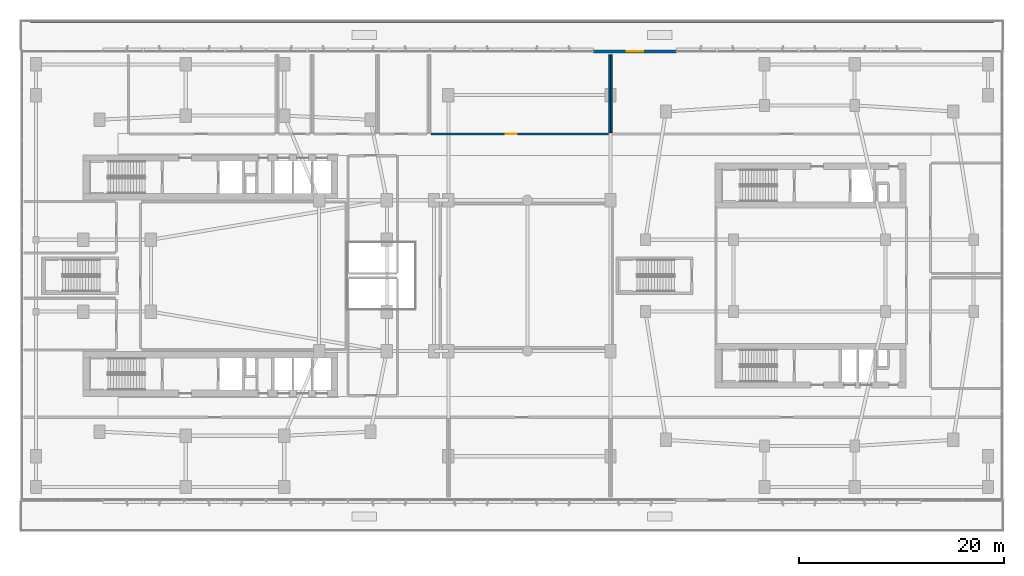
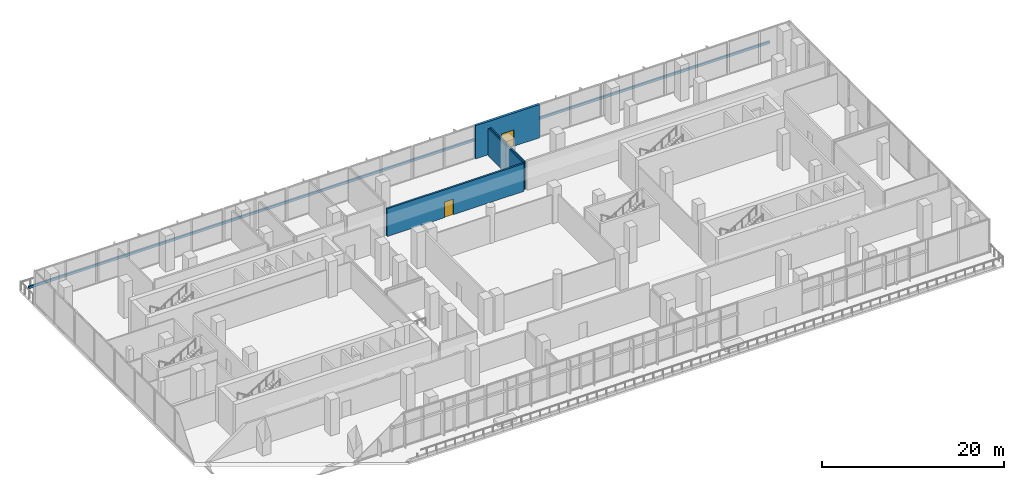
# One storey, part 14 of 30: 5 walls, 2 doors, 2 openings.
"""IFC4 building model written with IfcOpenShell, lengths in metres."""

from ifc_helpers import new_model, si_unit, derived_unit, direction, frame, frame_2d, origin, place, context, subcontext, project, spatial, rectangle, extrude, material, layer, layer_set, type_object, element, fill, save


model = new_model("IFC4")

# Units and contexts
model_context = context("Model", 3, precision=1e-05, world=origin(), true_north=direction((0.0, 1.0)))
body_context = subcontext(model_context, "Body", "Model", "MODEL_VIEW")
ifc_project = project(units=[si_unit("LENGTHUNIT", "METRE"), si_unit("AREAUNIT", "SQUARE_METRE"), si_unit("VOLUMEUNIT", "CUBIC_METRE"), si_unit("PLANEANGLEUNIT", "RADIAN"), si_unit("MASSUNIT", "GRAM", prefix="KILO"), derived_unit("THERMALTRANSMITTANCEUNIT", [(si_unit("POWERUNIT", "WATT"), 1), (si_unit("LENGTHUNIT", "METRE"), -2), (si_unit("THERMODYNAMICTEMPERATUREUNIT", "KELVIN"), -1)])], contexts=[model_context])

# Site, building, storey
site_placement = place(None, origin())
site = spatial("IfcSite", under=ifc_project, at=site_placement, CompositionType="ELEMENT")
building_placement = place(site_placement, origin())
building = spatial("IfcBuilding", under=site, at=building_placement, Name="Kivonza Crest Hotel", CompositionType="ELEMENT")
storey_placement = place(building_placement, frame((0.0, 0.0, 10.199951171875)))
storey = spatial("IfcBuildingStorey", under=building, at=storey_placement, Name="L02", CompositionType="ELEMENT", Elevation=10.199951171875)

# Wall, opening, door
ifc_material_1 = material(Name="Autoclaved aerated concrete blockwork", Category="masonry")
ifc_layer_1 = layer(ifc_material_1, 0.219970703125)
ifc_layer_set_1 = layer_set([ifc_layer_1], Name="Autoclaved aerated concrete blockwork")
wall_type_1 = type_object("IfcWallType", Name="WL-ACOU-220", PredefinedType="SOLIDWALL", material=ifc_layer_set_1)
wall_1_placement = place(storey_placement, frame((40.10009765625, 38.800048828125, 0.0), z_axis=(0.0, 0.0, 1.0), x_axis=(1.0, 0.0, 0.0)))
wall_1 = element("IfcWall", 1, at=wall_1_placement, inside=storey, type_object=wall_type_1, Name="L02 interior partition WA-L02-NTH-SAL1-S", PredefinedType="SOLIDWALL", context=body_context, shape_type="SweptSolid", body=[
    extrude(rectangle(XDim=17.2998046875, YDim=0.219970703125, at=frame_2d((8.64990234375, 0.0))), origin(), (0.0, 0.0, 1.0), 3.72509765625),
])
opening_1_placement = place(wall_1_placement, frame((7.280029296875, 0.0, 0.0)))
opening_1 = element("IfcOpeningElement", 2, at=opening_1_placement, cuts=wall_1, Name="Opening DF-60M", PredefinedType="OPENING", context=body_context, shape_type="SweptSolid", body=[
    extrude(rectangle(XDim=1.10009765625, YDim=2.10009765625, at=frame_2d((0.550048828125, 1.050048828125))), frame((0.0, 0.1201171875, 0.0), z_axis=(0.0, -1.0, 0.0), x_axis=(1.0, 0.0, 0.0)), (0.0, 0.0, 1.0), 0.239990234375),
])
ifc_material_2 = material(Name="Hardwood timber oak", Category="wood")
door_type_1 = type_object("IfcDoorType", Name="DR-FD60-1100", OperationType="NOTDEFINED", PredefinedType="DOOR", material=ifc_material_2)
door_1_placement = place(opening_1_placement, origin())
door_1 = element("IfcDoor", 3, at=door_1_placement, inside=storey, type_object=door_type_1, Name="L02 North Terrace Reception West door", OperationType="SINGLE_SWING_RIGHT", OverallHeight=2.10009765625, OverallWidth=1.10009765625, PredefinedType="DOOR", context=body_context, shape_type="SweptSolid", body=[
    extrude(rectangle(XDim=1.10009765625, YDim=2.10009765625, at=frame_2d((0.550048828125, 1.050048828125))), frame((0.0, 0.02490234375, 0.0), z_axis=(0.0, -1.0, 0.0), x_axis=(1.0, 0.0, 0.0)), (0.0, 0.0, 1.0), 0.050048828125),
])
fill(opening_1, door_1)

ifc_material_3 = material(Name="Precast concrete C40/50", Category="concrete")
ifc_layer_2 = layer(ifc_material_3, 0.300048828125)
ifc_layer_set_2 = layer_set([ifc_layer_2], Name="Precast concrete C40/50")
wall_type_2 = type_object("IfcWallType", Name="WL-EXT-300", PredefinedType="STANDARD", material=ifc_layer_set_2)
wall_2_placement = place(storey_placement, frame((64.028076171875, 46.85009765625, 0.0), z_axis=(0.0, 0.0, 1.0), x_axis=(-1.0, 0.0, 0.0)))
wall_2 = element("IfcWall", 4, at=wall_2_placement, inside=storey, type_object=wall_type_2, Name="L02 POD exterior insulated wall 22", PredefinedType="STANDARD", context=body_context, shape_type="SweptSolid", body=[
    extrude(rectangle(XDim=8.09619140625, YDim=0.300048828125, at=frame_2d((4.048095703125, 0.0))), origin(), (0.0, 0.0, 1.0), 4.449951171875),
])
opening_2_placement = place(wall_2_placement, frame((3.22802734375, 0.0, 0.0)))
opening_2 = element("IfcOpeningElement", 5, at=opening_2_placement, cuts=wall_2, Name="Opening DT-160", PredefinedType="OPENING", context=body_context, shape_type="SweptSolid", body=[
    extrude(rectangle(XDim=1.60009765625, YDim=2.199951171875, at=frame_2d((0.800048828125, 1.10009765625))), frame((0.0, 0.16015625, 0.0), z_axis=(0.0, -1.0, 0.0), x_axis=(1.0, 0.0, 0.0)), (0.0, 0.0, 1.0), 0.320068359375),
])
ifc_material_4 = material(Name="Anodised bronze aluminium and laminated safety glass", Category="aluminium")
door_type_2 = type_object("IfcDoorType", Name="DR-TERR-1600", OperationType="NOTDEFINED", PredefinedType="DOOR", material=ifc_material_4)
door_2_placement = place(opening_2_placement, frame((1.60009765625, 0.0, 0.0), z_axis=(0.0, 0.0, 1.0), x_axis=(-1.0, 0.0, 0.0)))
door_2 = element("IfcDoor", 6, at=door_2_placement, inside=storey, type_object=door_type_2, Name="L02 North podium terrace access door", OperationType="DOUBLE_DOOR_SINGLE_SWING", OverallHeight=2.199951171875, OverallWidth=1.60009765625, PredefinedType="DOOR", context=body_context, shape_type="SweptSolid", body=[
    extrude(rectangle(XDim=1.60009765625, YDim=2.199951171875, at=frame_2d((0.800048828125, 1.10009765625))), frame((0.0, 0.02490234375, 0.0), z_axis=(0.0, -1.0, 0.0), x_axis=(1.0, 0.0, 0.0)), (0.0, 0.0, 1.0), 0.050048828125),
])
fill(opening_2, door_2)

# Walls
ifc_layer_3 = layer(ifc_material_3, 0.199951171875)
ifc_layer_set_3 = layer_set([ifc_layer_3], Name="Precast concrete C40/50")
wall_type_3 = type_object("IfcWallType", Name="WL-PARAPET-200", PredefinedType="PARAPET", material=ifc_layer_set_3)
wall_3_placement = place(storey_placement, frame((1.080078125, 49.77001953125, 0.0), z_axis=(0.0, 0.0, 1.0), x_axis=(1.0, 0.0, 0.0)))
element("IfcWall", 7, at=wall_3_placement, inside=storey, type_object=wall_type_3, Name="L02 podium terrace edge parapet kerb 2", PredefinedType="PARAPET", context=body_context, shape_type="SweptSolid", body=[
    extrude(rectangle(XDim=93.83984375, YDim=0.199951171875, at=frame_2d((46.919921875, 0.0))), origin(), (0.0, 0.0, 1.0), 0.320068359375),
])
ifc_material_5 = material(Name="Twin-stud acoustic gypsum board partition", Category="gypsum")
ifc_layer_4 = layer(ifc_material_5, 0.14990234375)
ifc_layer_set_4 = layer_set([ifc_layer_4], Name="Twin-stud acoustic gypsum board partition")
wall_type_4 = type_object("IfcWallType", Name="WL-PART-150", PredefinedType="PARTITIONING", material=ifc_layer_set_4)
wall_4_placement = place(storey_placement, frame((57.5, 38.949951171875, 0.0), z_axis=(0.0, 0.0, 1.0), x_axis=(0.0, 1.0, 0.0)))
element("IfcWall", 8, at=wall_4_placement, inside=storey, type_object=wall_type_4, Name="L02 interior partition WP-L02-NTH-SAL1-BE", PredefinedType="PARTITIONING", context=body_context, shape_type="SweptSolid", body=[
    extrude(rectangle(XDim=7.60009765625, YDim=0.14990234375, at=frame_2d((3.800048828125, 0.0))), origin(), (0.0, 0.0, 1.0), 3.625),
])
wall_5_placement = place(storey_placement, frame((57.699951171875, 38.949951171875, 0.0), z_axis=(0.0, 0.0, 1.0), x_axis=(0.0, 1.0, 0.0)))
element("IfcWall", 9, at=wall_5_placement, inside=storey, type_object=wall_type_4, Name="L02 interior partition WP-L02-NTH-SAL2-BW", PredefinedType="PARTITIONING", context=body_context, shape_type="SweptSolid", body=[
    extrude(rectangle(XDim=7.60009765625, YDim=0.14990234375, at=frame_2d((3.800048828125, 0.0))), origin(), (0.0, 0.0, 1.0), 3.72509765625),
])

save(model, "model.ifc")
